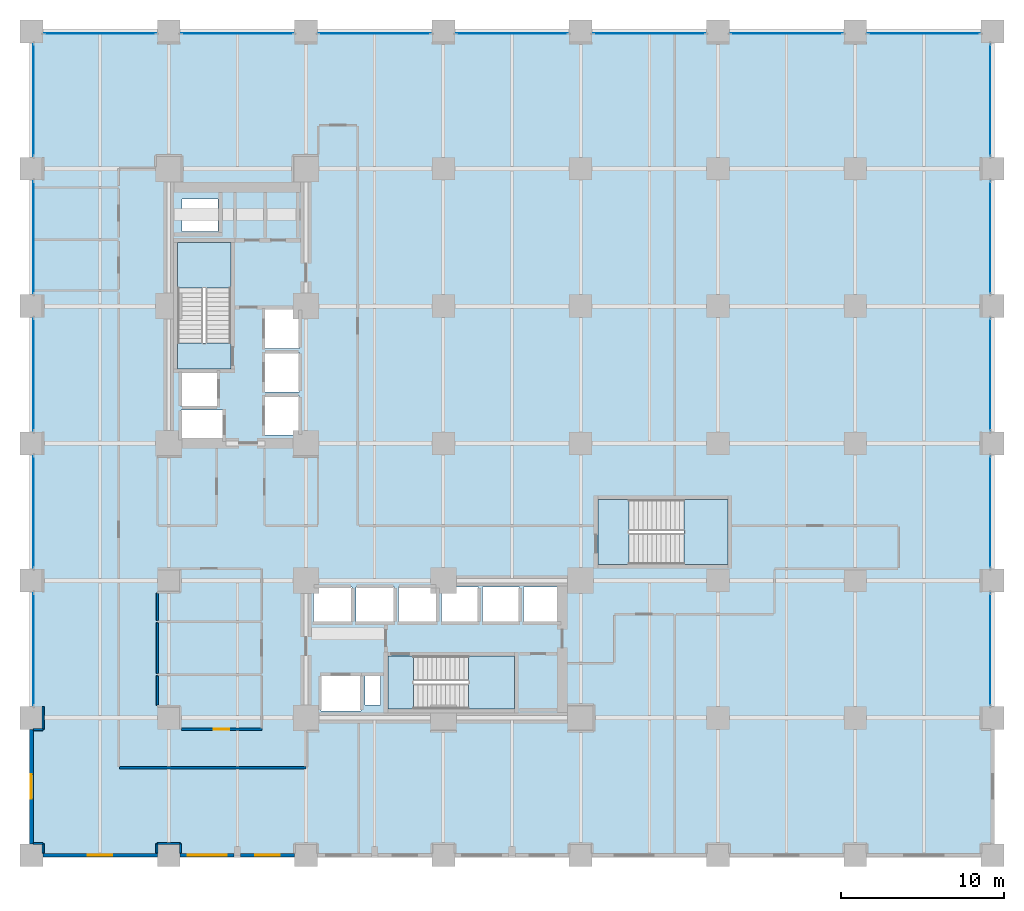
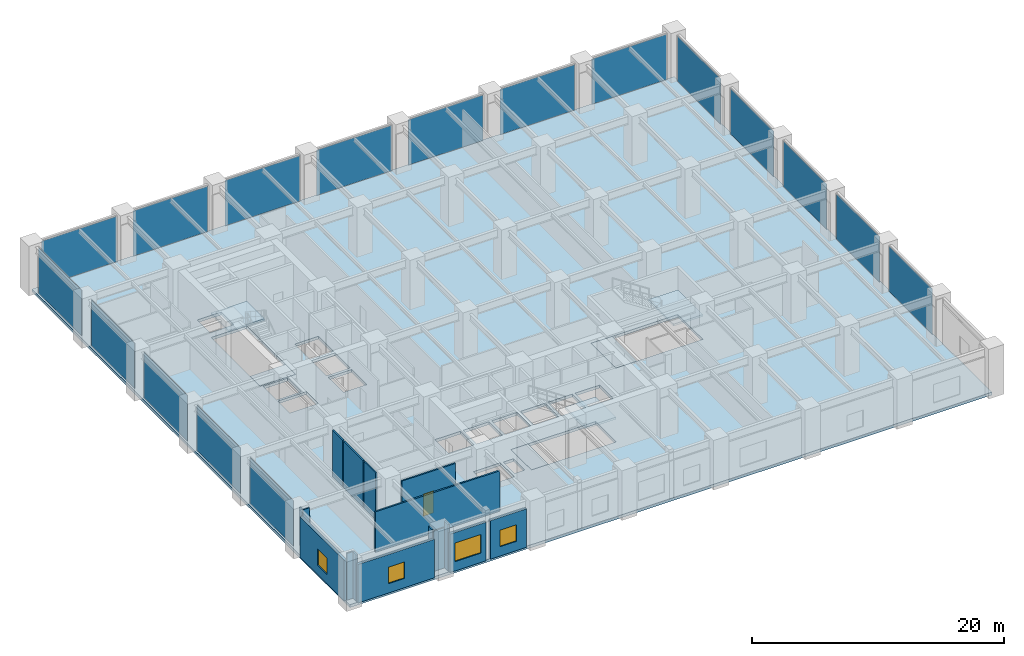
# One storey, part 18 of 23: 17 plates, 16 walls, 7 slabs, 4 windows, 1 door, 5 openings, 20 elements without a shape of their own.
"""IFC4 building model written with IfcOpenShell, lengths in metres."""

from ifc_helpers import new_model, si_unit, direction, frame, frame_2d, origin, origin_2d, place, context, subcontext, project, spatial, polyline, rectangle, outline, extrude, material, layer, layer_set, type_object, element, fill, aggregate, save


model = new_model("IFC4")

# Units and contexts
model_context = context("Model", 3, precision=1e-05, world=origin(), true_north=direction((0.0, 1.0)))
body_context = subcontext(model_context, "Body", "Model", "MODEL_VIEW")
ifc_project = project(units=[si_unit("LENGTHUNIT", "METRE"), si_unit("AREAUNIT", "SQUARE_METRE"), si_unit("VOLUMEUNIT", "CUBIC_METRE"), si_unit("PLANEANGLEUNIT", "RADIAN"), si_unit("MASSUNIT", "GRAM", prefix="KILO")], contexts=[model_context])

# Site, building, storey
site_placement = place(None, origin())
site = spatial("IfcSite", under=ifc_project, at=site_placement, CompositionType="ELEMENT")
building_placement = place(site_placement, origin())
building = spatial("IfcBuilding", under=site, at=building_placement, Name="Nerrivon Quay Data Exchange", CompositionType="ELEMENT")
storey_placement = place(building_placement, frame((0.0, 0.0, 5.39990234375)))
storey = spatial("IfcBuildingStorey", under=building, at=storey_placement, Name="L01", CompositionType="ELEMENT", Elevation=5.39990234375)

# Curtain wall, plate
ifc_material_1 = material(Name="Anodised aluminium 6063-T6", Category="aluminium")
ifc_layer_1 = layer(ifc_material_1, 0.239990234375)
ifc_layer_set_1 = layer_set([ifc_layer_1], Name="Anodised aluminium 6063-T6")
curtain_wall_type = type_object("IfcCurtainWallType", Name="CW-SYS-03", PredefinedType="NOTDEFINED", material=ifc_layer_set_1)
curtain_wall_1_placement = place(storey_placement, origin())
curtain_wall_1 = element("IfcCurtainWall", 1, at=curtain_wall_1_placement, inside=storey, type_object=curtain_wall_type, Name="L01 Unitised Curtain Wall 2", PredefinedType="NOTDEFINED")
ifc_material_2 = material(Name="Double-glazed low-E solar control glass", Category="glass")
ifc_layer_2 = layer(ifc_material_2, 0.031982421875)
ifc_layer_set_2 = layer_set([ifc_layer_2], Name="Double-glazed low-E solar control glass")
plate_type = type_object("IfcPlateType", Name="CWP-GLZ-32", PredefinedType="CURTAIN_PANEL", material=ifc_layer_set_2)
plate_1_placement = place(storey_placement, frame((0.139892578125, 12.60009765625, 0.065185546875), z_axis=(0.0, 0.0, 1.0), x_axis=(0.0, 1.0, 0.0)))
plate_1 = element("IfcPlate", 2, at=plate_1_placement, type_object=plate_type, Name="CW03 panel 1.1", PredefinedType="CURTAIN_PANEL", context=body_context, shape_type="SweptSolid", body=[
    extrude(rectangle(XDim=6.85009765625, YDim=0.028076171875, at=origin_2d()), origin(), (0.0, 0.0, 1.0), 4.39501953125),
])
aggregate(curtain_wall_1, [plate_1])

curtain_wall_2_placement = place(storey_placement, origin())
curtain_wall_2 = element("IfcCurtainWall", 3, at=curtain_wall_2_placement, inside=storey, type_object=curtain_wall_type, Name="L01 Unitised Curtain Wall 3", PredefinedType="NOTDEFINED")
plate_2_placement = place(storey_placement, frame((0.139892578125, 21.0, 0.065185546875), z_axis=(0.0, 0.0, 1.0), x_axis=(0.0, 1.0, 0.0)))
plate_2 = element("IfcPlate", 4, at=plate_2_placement, type_object=plate_type, Name="CW03 panel 1.1", PredefinedType="CURTAIN_PANEL", context=body_context, shape_type="SweptSolid", body=[
    extrude(rectangle(XDim=6.85009765625, YDim=0.028076171875, at=origin_2d()), origin(), (0.0, 0.0, 1.0), 4.39501953125),
])
aggregate(curtain_wall_2, [plate_2])

curtain_wall_3_placement = place(storey_placement, origin())
curtain_wall_3 = element("IfcCurtainWall", 5, at=curtain_wall_3_placement, inside=storey, type_object=curtain_wall_type, Name="L01 Unitised Curtain Wall 4", PredefinedType="NOTDEFINED")
plate_3_placement = place(storey_placement, frame((0.139892578125, 29.39990234375, 0.065185546875), z_axis=(0.0, 0.0, 1.0), x_axis=(0.0, 1.0, 0.0)))
plate_3 = element("IfcPlate", 6, at=plate_3_placement, type_object=plate_type, Name="CW03 panel 1.1", PredefinedType="CURTAIN_PANEL", context=body_context, shape_type="SweptSolid", body=[
    extrude(rectangle(XDim=6.85009765625, YDim=0.028076171875, at=origin_2d()), origin(), (0.0, 0.0, 1.0), 4.39501953125),
])
aggregate(curtain_wall_3, [plate_3])

curtain_wall_4_placement = place(storey_placement, origin())
curtain_wall_4 = element("IfcCurtainWall", 7, at=curtain_wall_4_placement, inside=storey, type_object=curtain_wall_type, Name="L01 Unitised Curtain Wall 5", PredefinedType="NOTDEFINED")
plate_4_placement = place(storey_placement, frame((0.139892578125, 37.800048828125, 0.065185546875), z_axis=(0.0, 0.0, 1.0), x_axis=(0.0, 1.0, 0.0)))
plate_4 = element("IfcPlate", 8, at=plate_4_placement, type_object=plate_type, Name="CW03 panel 1.1", PredefinedType="CURTAIN_PANEL", context=body_context, shape_type="SweptSolid", body=[
    extrude(rectangle(XDim=6.85009765625, YDim=0.028076171875, at=origin_2d()), origin(), (0.0, 0.0, 1.0), 4.39501953125),
])
aggregate(curtain_wall_4, [plate_4])

curtain_wall_5_placement = place(storey_placement, origin())
curtain_wall_5 = element("IfcCurtainWall", 9, at=curtain_wall_5_placement, inside=storey, type_object=curtain_wall_type, Name="L01 Unitised Curtain Wall 6", PredefinedType="NOTDEFINED")
plate_5_placement = place(storey_placement, frame((0.139892578125, 46.199951171875, 0.065185546875), z_axis=(0.0, 0.0, 1.0), x_axis=(0.0, 1.0, 0.0)))
plate_5 = element("IfcPlate", 10, at=plate_5_placement, type_object=plate_type, Name="CW03 panel 1.1", PredefinedType="CURTAIN_PANEL", context=body_context, shape_type="SweptSolid", body=[
    extrude(rectangle(XDim=6.85009765625, YDim=0.028076171875, at=origin_2d()), origin(), (0.0, 0.0, 1.0), 4.39501953125),
])
aggregate(curtain_wall_5, [plate_5])

curtain_wall_6_placement = place(storey_placement, origin())
curtain_wall_6 = element("IfcCurtainWall", 11, at=curtain_wall_6_placement, inside=storey, type_object=curtain_wall_type, Name="L01 Unitised Curtain Wall 7", PredefinedType="NOTDEFINED")
plate_6_placement = place(storey_placement, frame((4.199951171875, 50.260009765625, 0.065185546875), z_axis=(0.0, 0.0, 1.0), x_axis=(1.0, 0.0, 0.0)))
plate_6 = element("IfcPlate", 12, at=plate_6_placement, type_object=plate_type, Name="CW03 panel 1.1", PredefinedType="CURTAIN_PANEL", context=body_context, shape_type="SweptSolid", body=[
    extrude(rectangle(XDim=6.85009765625, YDim=0.028076171875, at=origin_2d()), origin(), (0.0, 0.0, 1.0), 4.39501953125),
])
aggregate(curtain_wall_6, [plate_6])

curtain_wall_7_placement = place(storey_placement, origin())
curtain_wall_7 = element("IfcCurtainWall", 13, at=curtain_wall_7_placement, inside=storey, type_object=curtain_wall_type, Name="L01 Unitised Curtain Wall 8", PredefinedType="NOTDEFINED")
plate_7_placement = place(storey_placement, frame((12.60009765625, 50.260009765625, 0.065185546875), z_axis=(0.0, 0.0, 1.0), x_axis=(1.0, 0.0, 0.0)))
plate_7 = element("IfcPlate", 14, at=plate_7_placement, type_object=plate_type, Name="CW03 panel 1.1", PredefinedType="CURTAIN_PANEL", context=body_context, shape_type="SweptSolid", body=[
    extrude(rectangle(XDim=6.85009765625, YDim=0.028076171875, at=origin_2d()), origin(), (0.0, 0.0, 1.0), 4.39501953125),
])
aggregate(curtain_wall_7, [plate_7])

curtain_wall_8_placement = place(storey_placement, origin())
curtain_wall_8 = element("IfcCurtainWall", 15, at=curtain_wall_8_placement, inside=storey, type_object=curtain_wall_type, Name="L01 Unitised Curtain Wall 9", PredefinedType="NOTDEFINED")
plate_8_placement = place(storey_placement, frame((21.0, 50.260009765625, 0.065185546875), z_axis=(0.0, 0.0, 1.0), x_axis=(1.0, 0.0, 0.0)))
plate_8 = element("IfcPlate", 16, at=plate_8_placement, type_object=plate_type, Name="CW03 panel 1.1", PredefinedType="CURTAIN_PANEL", context=body_context, shape_type="SweptSolid", body=[
    extrude(rectangle(XDim=6.85009765625, YDim=0.028076171875, at=origin_2d()), origin(), (0.0, 0.0, 1.0), 4.39501953125),
])
aggregate(curtain_wall_8, [plate_8])

curtain_wall_9_placement = place(storey_placement, origin())
curtain_wall_9 = element("IfcCurtainWall", 17, at=curtain_wall_9_placement, inside=storey, type_object=curtain_wall_type, Name="L01 Unitised Curtain Wall 10", PredefinedType="NOTDEFINED")
plate_9_placement = place(storey_placement, frame((29.39990234375, 50.260009765625, 0.065185546875), z_axis=(0.0, 0.0, 1.0), x_axis=(1.0, 0.0, 0.0)))
plate_9 = element("IfcPlate", 18, at=plate_9_placement, type_object=plate_type, Name="CW03 panel 1.1", PredefinedType="CURTAIN_PANEL", context=body_context, shape_type="SweptSolid", body=[
    extrude(rectangle(XDim=6.85009765625, YDim=0.028076171875, at=origin_2d()), origin(), (0.0, 0.0, 1.0), 4.39501953125),
])
aggregate(curtain_wall_9, [plate_9])

curtain_wall_10_placement = place(storey_placement, origin())
curtain_wall_10 = element("IfcCurtainWall", 19, at=curtain_wall_10_placement, inside=storey, type_object=curtain_wall_type, Name="L01 Unitised Curtain Wall 11", PredefinedType="NOTDEFINED")
plate_10_placement = place(storey_placement, frame((37.800048828125, 50.260009765625, 0.065185546875), z_axis=(0.0, 0.0, 1.0), x_axis=(1.0, 0.0, 0.0)))
plate_10 = element("IfcPlate", 20, at=plate_10_placement, type_object=plate_type, Name="CW03 panel 1.1", PredefinedType="CURTAIN_PANEL", context=body_context, shape_type="SweptSolid", body=[
    extrude(rectangle(XDim=6.85009765625, YDim=0.028076171875, at=origin_2d()), origin(), (0.0, 0.0, 1.0), 4.39501953125),
])
aggregate(curtain_wall_10, [plate_10])

curtain_wall_11_placement = place(storey_placement, origin())
curtain_wall_11 = element("IfcCurtainWall", 21, at=curtain_wall_11_placement, inside=storey, type_object=curtain_wall_type, Name="L01 Unitised Curtain Wall 12", PredefinedType="NOTDEFINED")
plate_11_placement = place(storey_placement, frame((46.199951171875, 50.260009765625, 0.065185546875), z_axis=(0.0, 0.0, 1.0), x_axis=(1.0, 0.0, 0.0)))
plate_11 = element("IfcPlate", 22, at=plate_11_placement, type_object=plate_type, Name="CW03 panel 1.1", PredefinedType="CURTAIN_PANEL", context=body_context, shape_type="SweptSolid", body=[
    extrude(rectangle(XDim=6.85009765625, YDim=0.028076171875, at=origin_2d()), origin(), (0.0, 0.0, 1.0), 4.39501953125),
])
aggregate(curtain_wall_11, [plate_11])

curtain_wall_12_placement = place(storey_placement, origin())
curtain_wall_12 = element("IfcCurtainWall", 23, at=curtain_wall_12_placement, inside=storey, type_object=curtain_wall_type, Name="L01 Unitised Curtain Wall 13", PredefinedType="NOTDEFINED")
plate_12_placement = place(storey_placement, frame((54.60009765625, 50.260009765625, 0.065185546875), z_axis=(0.0, 0.0, 1.0), x_axis=(1.0, 0.0, 0.0)))
plate_12 = element("IfcPlate", 24, at=plate_12_placement, type_object=plate_type, Name="CW03 panel 1.1", PredefinedType="CURTAIN_PANEL", context=body_context, shape_type="SweptSolid", body=[
    extrude(rectangle(XDim=6.85009765625, YDim=0.028076171875, at=origin_2d()), origin(), (0.0, 0.0, 1.0), 4.39501953125),
])
aggregate(curtain_wall_12, [plate_12])

curtain_wall_13_placement = place(storey_placement, origin())
curtain_wall_13 = element("IfcCurtainWall", 25, at=curtain_wall_13_placement, inside=storey, type_object=curtain_wall_type, Name="L01 Unitised Curtain Wall 14", PredefinedType="NOTDEFINED")
plate_13_placement = place(storey_placement, frame((58.659912109375, 46.199951171875, 0.065185546875), z_axis=(0.0, 0.0, 1.0), x_axis=(0.0, -1.0, 0.0)))
plate_13 = element("IfcPlate", 26, at=plate_13_placement, type_object=plate_type, Name="CW03 panel 1.1", PredefinedType="CURTAIN_PANEL", context=body_context, shape_type="SweptSolid", body=[
    extrude(rectangle(XDim=6.85009765625, YDim=0.028076171875, at=origin_2d()), origin(), (0.0, 0.0, 1.0), 4.39501953125),
])
aggregate(curtain_wall_13, [plate_13])

curtain_wall_14_placement = place(storey_placement, origin())
curtain_wall_14 = element("IfcCurtainWall", 27, at=curtain_wall_14_placement, inside=storey, type_object=curtain_wall_type, Name="L01 Unitised Curtain Wall 15", PredefinedType="NOTDEFINED")
plate_14_placement = place(storey_placement, frame((58.659912109375, 37.800048828125, 0.065185546875), z_axis=(0.0, 0.0, 1.0), x_axis=(0.0, -1.0, 0.0)))
plate_14 = element("IfcPlate", 28, at=plate_14_placement, type_object=plate_type, Name="CW03 panel 1.1", PredefinedType="CURTAIN_PANEL", context=body_context, shape_type="SweptSolid", body=[
    extrude(rectangle(XDim=6.85009765625, YDim=0.028076171875, at=origin_2d()), origin(), (0.0, 0.0, 1.0), 4.39501953125),
])
aggregate(curtain_wall_14, [plate_14])

curtain_wall_15_placement = place(storey_placement, origin())
curtain_wall_15 = element("IfcCurtainWall", 29, at=curtain_wall_15_placement, inside=storey, type_object=curtain_wall_type, Name="L01 Unitised Curtain Wall 16", PredefinedType="NOTDEFINED")
plate_15_placement = place(storey_placement, frame((58.659912109375, 29.39990234375, 0.065185546875), z_axis=(0.0, 0.0, 1.0), x_axis=(0.0, -1.0, 0.0)))
plate_15 = element("IfcPlate", 30, at=plate_15_placement, type_object=plate_type, Name="CW03 panel 1.1", PredefinedType="CURTAIN_PANEL", context=body_context, shape_type="SweptSolid", body=[
    extrude(rectangle(XDim=6.85009765625, YDim=0.028076171875, at=origin_2d()), origin(), (0.0, 0.0, 1.0), 4.39501953125),
])
aggregate(curtain_wall_15, [plate_15])

curtain_wall_16_placement = place(storey_placement, origin())
curtain_wall_16 = element("IfcCurtainWall", 31, at=curtain_wall_16_placement, inside=storey, type_object=curtain_wall_type, Name="L01 Unitised Curtain Wall 17", PredefinedType="NOTDEFINED")
plate_16_placement = place(storey_placement, frame((58.659912109375, 21.0, 0.065185546875), z_axis=(0.0, 0.0, 1.0), x_axis=(0.0, -1.0, 0.0)))
plate_16 = element("IfcPlate", 32, at=plate_16_placement, type_object=plate_type, Name="CW03 panel 1.1", PredefinedType="CURTAIN_PANEL", context=body_context, shape_type="SweptSolid", body=[
    extrude(rectangle(XDim=6.85009765625, YDim=0.028076171875, at=origin_2d()), origin(), (0.0, 0.0, 1.0), 4.39501953125),
])
aggregate(curtain_wall_16, [plate_16])

curtain_wall_17_placement = place(storey_placement, origin())
curtain_wall_17 = element("IfcCurtainWall", 33, at=curtain_wall_17_placement, inside=storey, type_object=curtain_wall_type, Name="L01 Unitised Curtain Wall 18", PredefinedType="NOTDEFINED")
plate_17_placement = place(storey_placement, frame((58.659912109375, 12.60009765625, 0.065185546875), z_axis=(0.0, 0.0, 1.0), x_axis=(0.0, -1.0, 0.0)))
plate_17 = element("IfcPlate", 34, at=plate_17_placement, type_object=plate_type, Name="CW03 panel 1.1", PredefinedType="CURTAIN_PANEL", context=body_context, shape_type="SweptSolid", body=[
    extrude(rectangle(XDim=6.85009765625, YDim=0.028076171875, at=origin_2d()), origin(), (0.0, 0.0, 1.0), 4.39501953125),
])
aggregate(curtain_wall_17, [plate_17])

# Stair, slab
ifc_material_3 = material(Name="Concrete N50 (50 MPa)", Category="concrete")
stair_type = type_object("IfcStairType", Name="STAIR-DOG-48", PredefinedType="HALF_TURN_STAIR", material=ifc_material_3)
stair_1_placement = place(storey_placement, origin())
stair_1 = element("IfcStair", 35, at=stair_1_placement, inside=storey, type_object=stair_type, Name="L01 West Core Fire Stair ST01", PredefinedType="HALF_TURN_STAIR")
ifc_layer_3 = layer(ifc_material_3, 0.199951171875)
ifc_layer_set_3 = layer_set([ifc_layer_3], Name="Concrete N50 (50 MPa)")
slab_type_1 = type_object("IfcSlabType", Name="SLB-LAND-200", PredefinedType="LANDING", material=ifc_layer_set_3)
slab_1_placement = place(storey_placement, frame((0.0, 0.0, 2.2001953125)))
slab_1 = element("IfcSlab", 36, at=slab_1_placement, type_object=slab_type_1, Name="ST01 landing 1", PredefinedType="LANDING", context=body_context, shape_type="SweptSolid", body=[
    extrude(outline(polyline([(12.199951171875, 34.68994140625), (12.199951171875, 37.5), (8.949951171875, 37.5), (8.949951171875, 34.68994140625), (12.199951171875, 34.68994140625)])), origin(), (0.0, 0.0, 1.0), 0.199951171875),
])
aggregate(stair_1, [slab_1])

# Slab
slab_2_placement = place(storey_placement, frame((0.0, 0.0, -0.199951171875)))
element("IfcSlab", 37, at=slab_2_placement, inside=storey, type_object=slab_type_1, Name="L01 ST01 floor landing", PredefinedType="LANDING", context=body_context, shape_type="SweptSolid", body=[
    extrude(outline(polyline([(12.199951171875, 29.75), (12.199951171875, 31.330078125), (8.949951171875, 31.330078125), (8.949951171875, 29.75), (12.199951171875, 29.75)])), origin(), (0.0, 0.0, 1.0), 0.199951171875),
])

# Stair, slab
stair_2_placement = place(storey_placement, origin())
stair_2 = element("IfcStair", 38, at=stair_2_placement, inside=storey, type_object=stair_type, Name="L01 East Core Fire Stair ST02", PredefinedType="HALF_TURN_STAIR")
slab_3_placement = place(storey_placement, frame((0.0, 0.0, 2.2001953125)))
slab_3 = element("IfcSlab", 39, at=slab_3_placement, type_object=slab_type_1, Name="ST02 landing 1", PredefinedType="LANDING", context=body_context, shape_type="SweptSolid", body=[
    extrude(outline(polyline([(26.739990234375, 8.949951171875), (29.550048828125, 8.949951171875), (29.550048828125, 12.199951171875), (26.739990234375, 12.199951171875), (26.739990234375, 8.949951171875)])), origin(), (0.0, 0.0, 1.0), 0.199951171875),
])
aggregate(stair_2, [slab_3])

# Slab
slab_4_placement = place(storey_placement, frame((0.0, 0.0, -0.199951171875)))
element("IfcSlab", 40, at=slab_4_placement, inside=storey, type_object=slab_type_1, Name="L01 ST02 floor landing", PredefinedType="LANDING", context=body_context, shape_type="SweptSolid", body=[
    extrude(outline(polyline([(21.800048828125, 8.949951171875), (23.3798828125, 8.949951171875), (23.3798828125, 12.199951171875), (21.800048828125, 12.199951171875), (21.800048828125, 8.949951171875)])), origin(), (0.0, 0.0, 1.0), 0.199951171875),
])

# Stair, slab
stair_3_placement = place(storey_placement, origin())
stair_3 = element("IfcStair", 41, at=stair_3_placement, inside=storey, type_object=stair_type, Name="L01 Podium Exit Stair ST03", PredefinedType="HALF_TURN_STAIR")
slab_5_placement = place(storey_placement, frame((0.0, 0.0, 2.2001953125)))
slab_5 = element("IfcSlab", 42, at=slab_5_placement, type_object=slab_type_1, Name="ST03 landing 1", PredefinedType="LANDING", context=body_context, shape_type="SweptSolid", body=[
    extrude(outline(polyline([(39.929931640625, 17.800048828125), (42.60009765625, 17.800048828125), (42.60009765625, 21.75), (39.929931640625, 21.75), (39.929931640625, 17.800048828125)])), origin(), (0.0, 0.0, 1.0), 0.199951171875),
])
aggregate(stair_3, [slab_5])

# Slabs
slab_6_placement = place(storey_placement, frame((0.0, 0.0, -0.199951171875)))
element("IfcSlab", 43, at=slab_6_placement, inside=storey, type_object=slab_type_1, Name="L01 ST03 floor landing", PredefinedType="LANDING", context=body_context, shape_type="SweptSolid", body=[
    extrude(outline(polyline([(34.64990234375, 17.800048828125), (36.570068359375, 17.800048828125), (36.570068359375, 21.75), (34.64990234375, 21.75), (34.64990234375, 17.800048828125)])), origin(), (0.0, 0.0, 1.0), 0.199951171875),
])
ifc_layer_4 = layer(ifc_material_3, 0.320068359375)
ifc_layer_set_4 = layer_set([ifc_layer_4], Name="Concrete N50 (50 MPa)")
slab_type_2 = type_object("IfcSlabType", Name="SLB-POD-320", PredefinedType="FLOOR", material=ifc_layer_set_4)
slab_7_placement = place(storey_placement, frame((0.0, 0.0, -0.27490234375)))
element("IfcSlab", 44, at=slab_7_placement, inside=storey, type_object=slab_type_2, Name="L01 Primary Structural Slab", PredefinedType="FLOOR", context=body_context, shape_type="SweptSolid", body=[
    extrude(outline(polyline([(58.800048828125, 0.0), (58.800048828125, 50.39990234375), (0.0, 50.39990234375), (0.0, 0.0), (58.800048828125, 0.0)]), holes=[polyline([(8.949951171875, 29.75), (8.949951171875, 37.5), (12.199951171875, 37.5), (12.199951171875, 29.75), (8.949951171875, 29.75)]), polyline([(21.800048828125, 12.199951171875), (29.550048828125, 12.199951171875), (29.550048828125, 8.949951171875), (21.800048828125, 8.949951171875), (21.800048828125, 12.199951171875)]), polyline([(34.64990234375, 21.75), (42.60009765625, 21.75), (42.60009765625, 17.800048828125), (34.64990234375, 17.800048828125), (34.64990234375, 21.75)]), polyline([(30.10009765625, 16.39990234375), (32.35009765625, 16.39990234375), (32.35009765625, 14.25), (30.10009765625, 14.25), (30.10009765625, 16.39990234375)]), polyline([(27.60009765625, 16.39990234375), (29.85009765625, 16.39990234375), (29.85009765625, 14.25), (27.60009765625, 14.25), (27.60009765625, 16.39990234375)]), polyline([(25.10009765625, 16.39990234375), (27.35009765625, 16.39990234375), (27.35009765625, 14.25), (25.10009765625, 14.25), (25.10009765625, 16.39990234375)]), polyline([(22.449951171875, 16.39990234375), (24.800048828125, 16.39990234375), (24.800048828125, 14.25), (22.449951171875, 14.25), (22.449951171875, 16.39990234375)]), polyline([(19.85009765625, 16.39990234375), (22.199951171875, 16.39990234375), (22.199951171875, 14.25), (19.85009765625, 14.25), (19.85009765625, 16.39990234375)]), polyline([(20.39990234375, 11.0), (21.35009765625, 11.0), (21.35009765625, 9.199951171875), (20.39990234375, 9.199951171875), (20.39990234375, 11.0)]), polyline([(17.699951171875, 8.830078125), (17.699951171875, 11.030029296875), (20.14990234375, 11.030029296875), (20.14990234375, 8.830078125), (17.699951171875, 8.830078125)]), polyline([(17.25, 14.25), (17.25, 16.39990234375), (19.60009765625, 16.39990234375), (19.60009765625, 14.25), (17.25, 14.25)]), polyline([(14.25, 28.10009765625), (16.39990234375, 28.10009765625), (16.39990234375, 25.699951171875), (14.25, 25.699951171875), (14.25, 28.10009765625)]), polyline([(14.25, 30.75), (16.39990234375, 30.75), (16.39990234375, 28.35009765625), (14.25, 28.35009765625), (14.25, 30.75)]), polyline([(14.25, 33.39990234375), (16.39990234375, 33.39990234375), (16.39990234375, 31.0), (14.25, 31.0), (14.25, 33.39990234375)]), polyline([(9.14990234375, 27.25), (11.75, 27.25), (11.75, 25.35009765625), (9.14990234375, 25.35009765625), (9.14990234375, 27.25)]), polyline([(9.14990234375, 29.60009765625), (11.39990234375, 29.60009765625), (11.39990234375, 27.449951171875), (9.14990234375, 27.449951171875), (9.14990234375, 29.60009765625)]), polyline([(9.199951171875, 40.14990234375), (11.39990234375, 40.14990234375), (11.39990234375, 38.14990234375), (9.199951171875, 38.14990234375), (9.199951171875, 40.14990234375)])]), origin(), (0.0, 0.0, 1.0), 0.27490234375),
])

# Wall, opening, window
ifc_material_4 = material(Name="Architectural terracotta precast concrete N50 (50 MPa)", Category="masonry")
ifc_layer_5 = layer(ifc_material_4, 0.239990234375)
ifc_layer_set_5 = layer_set([ifc_layer_5], Name="Architectural terracotta precast concrete N50 (50 MPa)")
wall_type_1 = type_object("IfcWallType", Name="EW-PREC-240", PredefinedType="STANDARD", material=ifc_layer_set_5)
wall_1_placement = place(storey_placement, frame((0.0, 0.699951171875, 0.0), z_axis=(0.0, 0.0, 1.0), x_axis=(0.0, 1.0, 0.0)))
wall_1 = element("IfcWall", 45, at=wall_1_placement, inside=storey, type_object=wall_type_1, Name="L01 Podium Precast Spandrel Wall 1", PredefinedType="STANDARD", context=body_context, shape_type="SweptSolid", body=[
    extrude(rectangle(XDim=7.0, YDim=0.239990234375, at=frame_2d((3.5, 0.0))), origin(), (0.0, 0.0, 1.0), 3.9130859375),
])
opening_1_placement = place(wall_1_placement, frame((2.75, 0.0, 0.89990234375)))
opening_1 = element("IfcOpeningElement", 46, at=opening_1_placement, cuts=wall_1, Name="Opening WN4", PredefinedType="OPENING", context=body_context, shape_type="SweptSolid", body=[
    extrude(rectangle(XDim=1.5, YDim=1.60009765625, at=frame_2d((0.75, 0.800048828125))), frame((0.0, 0.1298828125, 0.0), z_axis=(0.0, -1.0, 0.0), x_axis=(1.0, 0.0, 0.0)), (0.0, 0.0, 1.0), 0.260009765625),
])
window_type_1 = type_object("IfcWindowType", Name="WIN-W4-1500x1600", PartitioningType="SINGLE_PANEL", PredefinedType="WINDOW", material=ifc_material_2)
window_1_placement = place(opening_1_placement, origin())
window_1 = element("IfcWindow", 47, at=window_1_placement, inside=storey, type_object=window_type_1, Name="L01 Solar Facade Window 1", OverallHeight=1.60009765625, OverallWidth=1.5, PartitioningType="SINGLE_PANEL", PredefinedType="WINDOW", context=body_context, shape_type="SweptSolid", body=[
    extrude(rectangle(XDim=1.5, YDim=1.60009765625, at=frame_2d((0.75, 0.800048828125))), frame((0.0, 0.030029296875, 0.0), z_axis=(0.0, -1.0, 0.0), x_axis=(1.0, 0.0, 0.0)), (0.0, 0.0, 1.0), 0.06005859375),
])
fill(opening_1, window_1)

wall_2_placement = place(storey_placement, frame((16.10009765625, 0.0, 0.0), z_axis=(0.0, 0.0, 1.0), x_axis=(-1.0, 0.0, 0.0)))
wall_2 = element("IfcWall", 48, at=wall_2_placement, inside=storey, type_object=wall_type_1, Name="L01 Podium Precast Spandrel Wall 27", PredefinedType="STANDARD", context=body_context, shape_type="SweptSolid", body=[
    extrude(rectangle(XDim=3.300048828125, YDim=0.239990234375, at=frame_2d((1.64990234375, 0.0))), origin(), (0.0, 0.0, 1.0), 3.72509765625),
])
opening_2_placement = place(wall_2_placement, frame((0.89990234375, 0.0, 0.89990234375)))
opening_2 = element("IfcOpeningElement", 49, at=opening_2_placement, cuts=wall_2, Name="Opening WN4", PredefinedType="OPENING", context=body_context, shape_type="SweptSolid", body=[
    extrude(rectangle(XDim=1.5, YDim=1.60009765625, at=frame_2d((0.75, 0.800048828125))), frame((0.0, 0.1298828125, 0.0), z_axis=(0.0, -1.0, 0.0), x_axis=(1.0, 0.0, 0.0)), (0.0, 0.0, 1.0), 0.260009765625),
])
window_2_placement = place(opening_2_placement, origin())
window_2 = element("IfcWindow", 50, at=window_2_placement, inside=storey, type_object=window_type_1, Name="L01 Solar Facade Window 27", OverallHeight=1.60009765625, OverallWidth=1.5, PartitioningType="SINGLE_PANEL", PredefinedType="WINDOW", context=body_context, shape_type="SweptSolid", body=[
    extrude(rectangle(XDim=1.5, YDim=1.60009765625, at=frame_2d((0.75, 0.800048828125))), frame((0.0, 0.030029296875, 0.0), z_axis=(0.0, -1.0, 0.0), x_axis=(1.0, 0.0, 0.0)), (0.0, 0.0, 1.0), 0.06005859375),
])
fill(opening_2, window_2)

wall_3_placement = place(storey_placement, frame((12.39990234375, 0.0, 0.0), z_axis=(0.0, 0.0, 1.0), x_axis=(-1.0, 0.0, 0.0)))
wall_3 = element("IfcWall", 51, at=wall_3_placement, inside=storey, type_object=wall_type_1, Name="L01 Podium Precast Spandrel Wall 28", PredefinedType="STANDARD", context=body_context, shape_type="SweptSolid", body=[
    extrude(rectangle(XDim=3.2998046875, YDim=0.239990234375, at=frame_2d((1.64990234375, 0.0))), origin(), (0.0, 0.0, 1.0), 3.72509765625),
])
opening_3_placement = place(wall_3_placement, frame((0.449951171875, 0.0, 0.89990234375)))
opening_3 = element("IfcOpeningElement", 52, at=opening_3_placement, cuts=wall_3, Name="Opening WN1", PredefinedType="OPENING", context=body_context, shape_type="SweptSolid", body=[
    extrude(rectangle(XDim=2.39990234375, YDim=1.800048828125, at=frame_2d((1.199951171875, 0.89990234375))), frame((0.0, 0.1298828125, 0.0), z_axis=(0.0, -1.0, 0.0), x_axis=(1.0, 0.0, 0.0)), (0.0, 0.0, 1.0), 0.260009765625),
])
window_type_2 = type_object("IfcWindowType", Name="WIN-W1-2400x1800", PartitioningType="SINGLE_PANEL", PredefinedType="WINDOW", material=ifc_material_2)
window_3_placement = place(opening_3_placement, origin())
window_3 = element("IfcWindow", 53, at=window_3_placement, inside=storey, type_object=window_type_2, Name="L01 Solar Facade Window 28", OverallHeight=1.800048828125, OverallWidth=2.39990234375, PartitioningType="SINGLE_PANEL", PredefinedType="WINDOW", context=body_context, shape_type="SweptSolid", body=[
    extrude(rectangle(XDim=2.39990234375, YDim=1.800048828125, at=frame_2d((1.199951171875, 0.89990234375))), frame((0.0, 0.030029296875, 0.0), z_axis=(0.0, -1.0, 0.0), x_axis=(1.0, 0.0, 0.0)), (0.0, 0.0, 1.0), 0.06005859375),
])
fill(opening_3, window_3)

wall_4_placement = place(storey_placement, frame((7.699951171875, 0.0, 0.0), z_axis=(0.0, 0.0, 1.0), x_axis=(-1.0, 0.0, 0.0)))
wall_4 = element("IfcWall", 54, at=wall_4_placement, inside=storey, type_object=wall_type_1, Name="L01 Podium Precast Spandrel Wall 29", PredefinedType="STANDARD", context=body_context, shape_type="SweptSolid", body=[
    extrude(rectangle(XDim=7.0, YDim=0.239990234375, at=frame_2d((3.5, 0.0))), origin(), (0.0, 0.0, 1.0), 3.72509765625),
])
opening_4_placement = place(wall_4_placement, frame((2.75, 0.0, 0.89990234375)))
opening_4 = element("IfcOpeningElement", 55, at=opening_4_placement, cuts=wall_4, Name="Opening WN4", PredefinedType="OPENING", context=body_context, shape_type="SweptSolid", body=[
    extrude(rectangle(XDim=1.5, YDim=1.60009765625, at=frame_2d((0.75, 0.800048828125))), frame((0.0, 0.1298828125, 0.0), z_axis=(0.0, -1.0, 0.0), x_axis=(1.0, 0.0, 0.0)), (0.0, 0.0, 1.0), 0.260009765625),
])
window_4_placement = place(opening_4_placement, origin())
window_4 = element("IfcWindow", 56, at=window_4_placement, inside=storey, type_object=window_type_1, Name="L01 Solar Facade Window 29", OverallHeight=1.60009765625, OverallWidth=1.5, PartitioningType="SINGLE_PANEL", PredefinedType="WINDOW", context=body_context, shape_type="SweptSolid", body=[
    extrude(rectangle(XDim=1.5, YDim=1.60009765625, at=frame_2d((0.75, 0.800048828125))), frame((0.0, 0.030029296875, 0.0), z_axis=(0.0, -1.0, 0.0), x_axis=(1.0, 0.0, 0.0)), (0.0, 0.0, 1.0), 0.06005859375),
])
fill(opening_4, window_4)

# Walls
ifc_material_5 = material(Name="Gypsum plasterboard on cold-formed framing", Category="gypsum")
ifc_layer_6 = layer(ifc_material_5, 0.1201171875)
ifc_layer_set_6 = layer_set([ifc_layer_6], Name="Gypsum plasterboard on cold-formed framing")
wall_type_2 = type_object("IfcWallType", Name="WALL-PT-120", PredefinedType="PARTITIONING", material=ifc_layer_set_6)
wall_5_placement = place(storey_placement, frame((7.7099609375, 16.01611328125, 0.0), z_axis=(0.0, 0.0, 1.0), x_axis=(0.0, -1.0, 0.0)))
element("IfcWall", 57, at=wall_5_placement, inside=storey, type_object=wall_type_2, Name="L01 Partition Subsea Meet-Me Operations Workspace", PredefinedType="PARTITIONING", context=body_context, shape_type="SweptSolid", body=[
    extrude(rectangle(XDim=1.64111328125, YDim=0.1201171875, at=frame_2d((0.820556640625, 0.0))), origin(), (0.0, 0.0, 1.0), 4.525146484375),
])
wall_6_placement = place(storey_placement, frame((7.7099609375, 14.217041015625, 0.0), z_axis=(0.0, 0.0, 1.0), x_axis=(0.0, -1.0, 0.0)))
element("IfcWall", 58, at=wall_6_placement, inside=storey, type_object=wall_type_2, Name="L01 Partition Optical Engineering Studios Workspace", PredefinedType="PARTITIONING", context=body_context, shape_type="SweptSolid", body=[
    extrude(rectangle(XDim=3.0859375, YDim=0.1201171875, at=frame_2d((1.54296875, 0.0))), origin(), (0.0, 0.0, 1.0), 4.525146484375),
])
wall_7_placement = place(storey_placement, frame((7.7099609375, 10.97314453125, 0.0), z_axis=(0.0, 0.0, 1.0), x_axis=(0.0, -1.0, 0.0)))
element("IfcWall", 59, at=wall_7_placement, inside=storey, type_object=wall_type_2, Name="L01 Partition Network Operations Office 1", PredefinedType="PARTITIONING", context=body_context, shape_type="SweptSolid", body=[
    extrude(rectangle(XDim=1.7890625, YDim=0.1201171875, at=frame_2d((0.89453125, 0.0))), origin(), (0.0, 0.0, 1.0), 4.525146484375),
])
wall_8_placement = place(storey_placement, frame((0.719970703125, 9.10009765625, 0.0), z_axis=(0.0, 0.0, 1.0), x_axis=(0.0, -1.0, 0.0)))
element("IfcWall", 60, at=wall_8_placement, inside=storey, type_object=wall_type_2, Name="L01 Partition Technical Library", PredefinedType="PARTITIONING", context=body_context, shape_type="SweptSolid", body=[
    extrude(rectangle(XDim=1.400146484375, YDim=0.1201171875, at=frame_2d((0.7001953125, 0.0))), origin(), (0.0, 0.0, 1.0), 3.72509765625),
])
for number, where, z_axis, x_axis, name in (
    (61, (0.699951171875, 7.679931640625, 0.0), (0.0, 0.0, 1.0), (-1.0, 0.0, 0.0), "L01 Partition Technical Library"),
    (62, (0.1240234375, 0.719970703125, 0.0), (0.0, 0.0, 1.0), (1.0, 0.0, 0.0), "L01 Partition Technical Library"),
    (63, (0.719970703125, 0.699951171875, 0.0), (0.0, 0.0, 1.0), (0.0, -1.0, 0.0), "L01 Partition Technical Library"),
    (64, (7.679931640625, 0.1240234375, 0.0), (0.0, 0.0, 1.0), (0.0, 1.0, 0.0), "L01 Partition Technical Library"),
):
    element("IfcWall", number, at=place(storey_placement, frame(where, z_axis=z_axis, x_axis=x_axis)), inside=storey, type_object=wall_type_2, Name=name, PredefinedType="PARTITIONING", context=body_context, shape_type="SweptSolid", body=[
        extrude(rectangle(XDim=0.575927734375, YDim=0.1201171875, at=frame_2d((0.2880859375, 0.0))), origin(), (0.0, 0.0, 1.0), 4.525146484375),
    ])
wall_9_placement = place(storey_placement, frame((7.699951171875, 0.719970703125, 0.0), z_axis=(0.0, 0.0, 1.0), x_axis=(1.0, 0.0, 0.0)))
element("IfcWall", 65, at=wall_9_placement, inside=storey, type_object=wall_type_2, Name="L01 Partition Technical Library", PredefinedType="PARTITIONING", context=body_context, shape_type="SweptSolid", body=[
    extrude(rectangle(XDim=1.400146484375, YDim=0.1201171875, at=frame_2d((0.7001953125, 0.0))), origin(), (0.0, 0.0, 1.0), 3.9130859375),
])
wall_10_placement = place(storey_placement, frame((9.1201171875, 0.699951171875, 0.0), z_axis=(0.0, 0.0, 1.0), x_axis=(0.0, -1.0, 0.0)))
element("IfcWall", 66, at=wall_10_placement, inside=storey, type_object=wall_type_2, Name="L01 Partition Technical Library", PredefinedType="PARTITIONING", context=body_context, shape_type="SweptSolid", body=[
    extrude(rectangle(XDim=0.575927734375, YDim=0.1201171875, at=frame_2d((0.2880859375, 0.0))), origin(), (0.0, 0.0, 1.0), 4.525146484375),
])

# Wall, opening, door
ifc_layer_7 = layer(ifc_material_5, 0.135009765625)
ifc_layer_set_7 = layer_set([ifc_layer_7], Name="Gypsum plasterboard on cold-formed framing")
wall_type_3 = type_object("IfcWallType", Name="WALL-PT-135", PredefinedType="PARTITIONING", material=ifc_layer_set_7)
wall_11_placement = place(storey_placement, frame((9.18408203125, 7.7099609375, 0.0), z_axis=(0.0, 0.0, 1.0), x_axis=(1.0, 0.0, 0.0)))
wall_11 = element("IfcWall", 67, at=wall_11_placement, inside=storey, type_object=wall_type_3, Name="L01 Partition Network Operations Office 1", PredefinedType="PARTITIONING", context=body_context, shape_type="SweptSolid", body=[
    extrude(rectangle(XDim=4.906005859375, YDim=0.135009765625, at=frame_2d((2.453125, 0.0))), origin(), (0.0, 0.0, 1.0), 4.1220703125),
])
opening_5_placement = place(wall_11_placement, frame((1.97802734375, 0.0, 0.0)))
opening_5 = element("IfcOpeningElement", 68, at=opening_5_placement, cuts=wall_11, Name="Opening D-01", PredefinedType="OPENING", context=body_context, shape_type="SweptSolid", body=[
    extrude(rectangle(XDim=0.949951171875, YDim=2.14990234375, at=frame_2d((0.47509765625, 1.074951171875))), frame((0.0, 0.077392578125, 0.0), z_axis=(0.0, -1.0, 0.0), x_axis=(1.0, 0.0, 0.0)), (0.0, 0.0, 1.0), 0.155029296875),
])
ifc_material_6 = material(Name="Engineered hardwood timber", Category="wood")
door_type = type_object("IfcDoorType", Name="DR-INT-950", OperationType="NOTDEFINED", PredefinedType="DOOR", material=ifc_material_6)
door_placement = place(opening_5_placement, origin())
door = element("IfcDoor", 69, at=door_placement, inside=storey, type_object=door_type, Name="L01 Door Network Operations Office 1", OperationType="SINGLE_SWING_LEFT", OverallHeight=2.14990234375, OverallWidth=0.949951171875, PredefinedType="DOOR", context=body_context, shape_type="SweptSolid", body=[
    extrude(rectangle(XDim=0.949951171875, YDim=2.14990234375, at=frame_2d((0.47509765625, 1.074951171875))), frame((0.0, 0.02490234375, 0.0), z_axis=(0.0, -1.0, 0.0), x_axis=(1.0, 0.0, 0.0)), (0.0, 0.0, 1.0), 0.050048828125),
])
fill(opening_5, door)

# Wall
ifc_layer_8 = layer(ifc_material_5, 0.14990234375)
ifc_layer_set_8 = layer_set([ifc_layer_8], Name="Gypsum plasterboard on cold-formed framing")
wall_type_4 = type_object("IfcWallType", Name="WALL-PT-150", PredefinedType="PARTITIONING", material=ifc_layer_set_8)
wall_12_placement = place(storey_placement, frame((16.800048828125, 5.340087890625, 0.0), z_axis=(0.0, 0.0, 1.0), x_axis=(-1.0, 0.0, 0.0)))
element("IfcWall", 70, at=wall_12_placement, inside=storey, type_object=wall_type_4, Name="L01 Partition Technical Library", PredefinedType="PARTITIONING", context=body_context, shape_type="SweptSolid", body=[
    extrude(rectangle(XDim=11.400146484375, YDim=0.14990234375, at=frame_2d((5.7001953125, 0.0))), origin(), (0.0, 0.0, 1.0), 3.9130859375),
])

save(model, "model.ifc")
